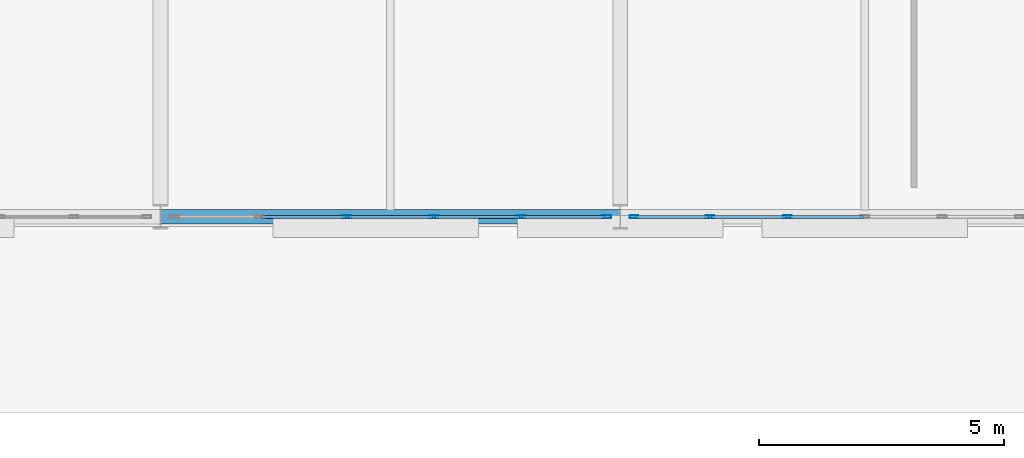
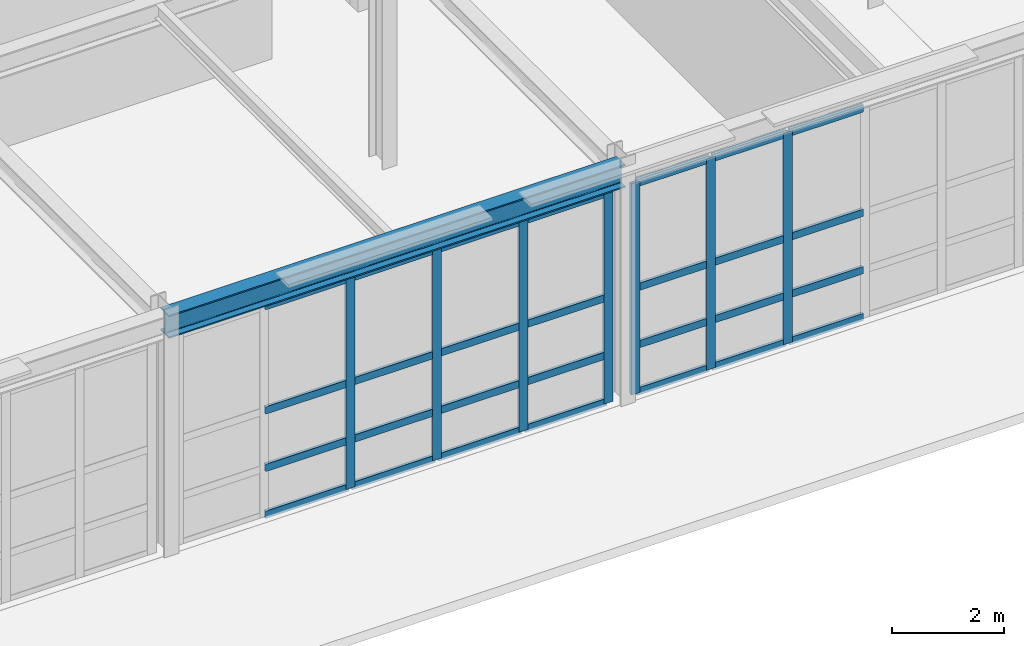
# One storey, part 92 of 210: 35 members, 1 beam, 2 elements without a shape of their own.
"""IFC4 building model written with IfcOpenShell, lengths in metres."""

from ifc_helpers import new_model, si_unit, direction, frame, origin, origin_2d, place, context, subcontext, project, spatial, hollow_rectangle, i_section, extrude, material, material_profile, profile_set, type_object, element, aggregate, save


model = new_model("IFC4")

# Units and contexts
model_context = context("Model", 3, precision=1e-05, world=origin(), true_north=direction((0.0, 1.0)))
body_context = subcontext(model_context, "Body", "Model", "MODEL_VIEW")
ifc_project = project(units=[si_unit("LENGTHUNIT", "METRE"), si_unit("AREAUNIT", "SQUARE_METRE"), si_unit("VOLUMEUNIT", "CUBIC_METRE"), si_unit("PLANEANGLEUNIT", "RADIAN"), si_unit("MASSUNIT", "GRAM", prefix="KILO")], contexts=[model_context])

# Site, building, storey
site_placement = place(None, origin())
site = spatial("IfcSite", under=ifc_project, at=site_placement, CompositionType="ELEMENT")
building_placement = place(site_placement, origin())
building = spatial("IfcBuilding", under=site, at=building_placement, Name="Kaldris Quays Convention Centre", CompositionType="ELEMENT")
storey_placement = place(building_placement, frame((0.0, 0.0, 6.0)))
storey = spatial("IfcBuildingStorey", under=building, at=storey_placement, Name="L01", CompositionType="ELEMENT", Elevation=6.0)

# Curtain wall, members
ifc_material_1 = material(Name="Anodized aluminium AW-6060 and triple glazing", Category="aluminium")
curtain_wall_type = type_object("IfcCurtainWallType", Name="UNITISED CURTAIN WALL CW02", PredefinedType="NOTDEFINED", material=ifc_material_1)
curtain_wall_1_placement = place(storey_placement, origin())
curtain_wall_1 = element("IfcCurtainWall", 1, at=curtain_wall_1_placement, inside=storey, type_object=curtain_wall_type, Name="L01 Unitised Curtain Wall CW02 187", PredefinedType="NOTDEFINED")
ifc_material_2 = material(Name="Anodized aluminium AW-6060", Category="aluminium")
ifc_material_profile_1 = material_profile(ifc_material_2, hollow_rectangle(XDim=0.06005859375, YDim=0.179931640625, WallThickness=0.0048828125, at=origin_2d()), Name="RHS 180x60x5")
ifc_profile_set_1 = profile_set([ifc_material_profile_1], Name="Anodized aluminium AW-6060")
member_type_1 = type_object("IfcMemberType", Name="CURTAIN MULLION CWM2", PredefinedType="MULLION", material=ifc_profile_set_1)
member_1_placement = place(storey_placement, frame((168.409912109375, 20.0, 0.0), z_axis=(0.0, 0.0, 1.0), x_axis=(0.0, 1.0, 0.0)))
member_1 = element("IfcMember", 2, at=member_1_placement, type_object=member_type_1, Name="CW02 mullion 3", PredefinedType="MULLION", context=body_context, shape_type="SweptSolid", body=[
    extrude(hollow_rectangle(XDim=0.06005859375, YDim=0.179931640625, WallThickness=0.0048828125, at=origin_2d()), origin(), (0.0, 0.0, 1.0), 4.60009765625),
])
member_2_placement = place(storey_placement, frame((170.18994140625, 20.0, 0.0), z_axis=(0.0, 0.0, 1.0), x_axis=(0.0, 1.0, 0.0)))
member_2 = element("IfcMember", 3, at=member_2_placement, type_object=member_type_1, Name="CW02 mullion 4", PredefinedType="MULLION", context=body_context, shape_type="SweptSolid", body=[
    extrude(hollow_rectangle(XDim=0.06005859375, YDim=0.179931640625, WallThickness=0.0048828125, at=origin_2d()), origin(), (0.0, 0.0, 1.0), 4.60009765625),
])
member_3_placement = place(storey_placement, frame((171.969970703125, 20.0, 0.0), z_axis=(0.0, 0.0, 1.0), x_axis=(0.0, 1.0, 0.0)))
member_3 = element("IfcMember", 4, at=member_3_placement, type_object=member_type_1, Name="CW02 mullion 5", PredefinedType="MULLION", context=body_context, shape_type="SweptSolid", body=[
    extrude(hollow_rectangle(XDim=0.06005859375, YDim=0.179931640625, WallThickness=0.0048828125, at=origin_2d()), origin(), (0.0, 0.0, 1.0), 4.60009765625),
])
member_4_placement = place(storey_placement, frame((173.719970703125, 20.0, 0.0), z_axis=(0.0, 0.0, 1.0), x_axis=(0.0, 1.0, 0.0)))
member_4 = element("IfcMember", 5, at=member_4_placement, type_object=member_type_1, Name="CW02 mullion 6", PredefinedType="MULLION", context=body_context, shape_type="SweptSolid", body=[
    extrude(hollow_rectangle(XDim=0.06005859375, YDim=0.179931640625, WallThickness=0.0048828125, at=origin_2d()), origin(), (0.0, 0.0, 1.0), 4.60009765625),
])

curtain_wall_2_placement = place(storey_placement, origin())
curtain_wall_2 = element("IfcCurtainWall", 6, at=curtain_wall_2_placement, inside=storey, type_object=curtain_wall_type, Name="L01 Unitised Curtain Wall CW02 189", PredefinedType="NOTDEFINED")
member_5_placement = place(storey_placement, frame((174.280029296875, 20.0, 0.0), z_axis=(0.0, 0.0, 1.0), x_axis=(0.0, 1.0, 0.0)))
member_5 = element("IfcMember", 7, at=member_5_placement, type_object=member_type_1, Name="CW02 mullion 1", PredefinedType="MULLION", context=body_context, shape_type="SweptSolid", body=[
    extrude(hollow_rectangle(XDim=0.06005859375, YDim=0.179931640625, WallThickness=0.0048828125, at=origin_2d()), origin(), (0.0, 0.0, 1.0), 4.60009765625),
])
member_6_placement = place(storey_placement, frame((175.833251953125, 20.0, 0.0), z_axis=(0.0, 0.0, 1.0), x_axis=(0.0, 1.0, 0.0)))
member_6 = element("IfcMember", 8, at=member_6_placement, type_object=member_type_1, Name="CW02 mullion 2", PredefinedType="MULLION", context=body_context, shape_type="SweptSolid", body=[
    extrude(hollow_rectangle(XDim=0.06005859375, YDim=0.179931640625, WallThickness=0.0048828125, at=origin_2d()), origin(), (0.0, 0.0, 1.0), 4.60009765625),
])
member_7_placement = place(storey_placement, frame((177.416748046875, 20.0, 0.0), z_axis=(0.0, 0.0, 1.0), x_axis=(0.0, 1.0, 0.0)))
member_7 = element("IfcMember", 9, at=member_7_placement, type_object=member_type_1, Name="CW02 mullion 3", PredefinedType="MULLION", context=body_context, shape_type="SweptSolid", body=[
    extrude(hollow_rectangle(XDim=0.06005859375, YDim=0.179931640625, WallThickness=0.0048828125, at=origin_2d()), origin(), (0.0, 0.0, 1.0), 4.60009765625),
])

# Member
ifc_material_profile_2 = material_profile(ifc_material_2, hollow_rectangle(XDim=0.06005859375, YDim=0.159912109375, WallThickness=0.00390625, at=origin_2d()), Name="RHS 160x60x4")
ifc_profile_set_2 = profile_set([ifc_material_profile_2], Name="Anodized aluminium AW-6060")
member_type_2 = type_object("IfcMemberType", Name="CURTAIN TRANSOM CWT2", PredefinedType="USERDEFINED", material=ifc_profile_set_2)
member_8_placement = place(storey_placement, frame((166.659912109375, 20.0, 0.030029296875), z_axis=(1.0, 0.0, 0.0), x_axis=(0.0, 1.0, 0.0)))
member_8 = element("IfcMember", 10, at=member_8_placement, type_object=member_type_2, Name="CW02 transom 2.1", ObjectType="TRANSOM", PredefinedType="USERDEFINED", context=body_context, shape_type="SweptSolid", body=[
    extrude(hollow_rectangle(XDim=0.06005859375, YDim=0.159912109375, WallThickness=0.00390625, at=origin_2d()), origin(), (0.0, 0.0, 1.0), 1.719970703125),
])

member_9_placement = place(storey_placement, frame((166.659912109375, 20.0, 1.050048828125), z_axis=(1.0, 0.0, 0.0), x_axis=(0.0, 1.0, 0.0)))
member_9 = element("IfcMember", 11, at=member_9_placement, type_object=member_type_2, Name="CW02 transom 2.2", ObjectType="TRANSOM", PredefinedType="USERDEFINED", context=body_context, shape_type="SweptSolid", body=[
    extrude(hollow_rectangle(XDim=0.06005859375, YDim=0.159912109375, WallThickness=0.00390625, at=origin_2d()), origin(), (0.0, 0.0, 1.0), 1.719970703125),
])

member_10_placement = place(storey_placement, frame((166.659912109375, 20.0, 2.300048828125), z_axis=(1.0, 0.0, 0.0), x_axis=(0.0, 1.0, 0.0)))
member_10 = element("IfcMember", 12, at=member_10_placement, type_object=member_type_2, Name="CW02 transom 2.3", ObjectType="TRANSOM", PredefinedType="USERDEFINED", context=body_context, shape_type="SweptSolid", body=[
    extrude(hollow_rectangle(XDim=0.06005859375, YDim=0.159912109375, WallThickness=0.00390625, at=origin_2d()), origin(), (0.0, 0.0, 1.0), 1.719970703125),
])

member_11_placement = place(storey_placement, frame((166.659912109375, 20.0, 4.570068359375), z_axis=(1.0, 0.0, 0.0), x_axis=(0.0, 1.0, 0.0)))
member_11 = element("IfcMember", 13, at=member_11_placement, type_object=member_type_2, Name="CW02 transom 2.4", ObjectType="TRANSOM", PredefinedType="USERDEFINED", context=body_context, shape_type="SweptSolid", body=[
    extrude(hollow_rectangle(XDim=0.06005859375, YDim=0.159912109375, WallThickness=0.00390625, at=origin_2d()), origin(), (0.0, 0.0, 1.0), 1.719970703125),
])

member_12_placement = place(storey_placement, frame((168.43994140625, 20.0, 0.030029296875), z_axis=(1.0, 0.0, 0.0), x_axis=(0.0, 1.0, 0.0)))
member_12 = element("IfcMember", 14, at=member_12_placement, type_object=member_type_2, Name="CW02 transom 3.1", ObjectType="TRANSOM", PredefinedType="USERDEFINED", context=body_context, shape_type="SweptSolid", body=[
    extrude(hollow_rectangle(XDim=0.06005859375, YDim=0.159912109375, WallThickness=0.00390625, at=origin_2d()), origin(), (0.0, 0.0, 1.0), 1.719970703125),
])

member_13_placement = place(storey_placement, frame((168.43994140625, 20.0, 1.050048828125), z_axis=(1.0, 0.0, 0.0), x_axis=(0.0, 1.0, 0.0)))
member_13 = element("IfcMember", 15, at=member_13_placement, type_object=member_type_2, Name="CW02 transom 3.2", ObjectType="TRANSOM", PredefinedType="USERDEFINED", context=body_context, shape_type="SweptSolid", body=[
    extrude(hollow_rectangle(XDim=0.06005859375, YDim=0.159912109375, WallThickness=0.00390625, at=origin_2d()), origin(), (0.0, 0.0, 1.0), 1.719970703125),
])

member_14_placement = place(storey_placement, frame((168.43994140625, 20.0, 2.300048828125), z_axis=(1.0, 0.0, 0.0), x_axis=(0.0, 1.0, 0.0)))
member_14 = element("IfcMember", 16, at=member_14_placement, type_object=member_type_2, Name="CW02 transom 3.3", ObjectType="TRANSOM", PredefinedType="USERDEFINED", context=body_context, shape_type="SweptSolid", body=[
    extrude(hollow_rectangle(XDim=0.06005859375, YDim=0.159912109375, WallThickness=0.00390625, at=origin_2d()), origin(), (0.0, 0.0, 1.0), 1.719970703125),
])

member_15_placement = place(storey_placement, frame((168.43994140625, 20.0, 4.570068359375), z_axis=(1.0, 0.0, 0.0), x_axis=(0.0, 1.0, 0.0)))
member_15 = element("IfcMember", 17, at=member_15_placement, type_object=member_type_2, Name="CW02 transom 3.4", ObjectType="TRANSOM", PredefinedType="USERDEFINED", context=body_context, shape_type="SweptSolid", body=[
    extrude(hollow_rectangle(XDim=0.06005859375, YDim=0.159912109375, WallThickness=0.00390625, at=origin_2d()), origin(), (0.0, 0.0, 1.0), 1.719970703125),
])

member_16_placement = place(storey_placement, frame((170.219970703125, 20.0, 0.030029296875), z_axis=(1.0, 0.0, 0.0), x_axis=(0.0, 1.0, 0.0)))
member_16 = element("IfcMember", 18, at=member_16_placement, type_object=member_type_2, Name="CW02 transom 4.1", ObjectType="TRANSOM", PredefinedType="USERDEFINED", context=body_context, shape_type="SweptSolid", body=[
    extrude(hollow_rectangle(XDim=0.06005859375, YDim=0.159912109375, WallThickness=0.00390625, at=origin_2d()), origin(), (0.0, 0.0, 1.0), 1.719970703125),
])

member_17_placement = place(storey_placement, frame((170.219970703125, 20.0, 1.050048828125), z_axis=(1.0, 0.0, 0.0), x_axis=(0.0, 1.0, 0.0)))
member_17 = element("IfcMember", 19, at=member_17_placement, type_object=member_type_2, Name="CW02 transom 4.2", ObjectType="TRANSOM", PredefinedType="USERDEFINED", context=body_context, shape_type="SweptSolid", body=[
    extrude(hollow_rectangle(XDim=0.06005859375, YDim=0.159912109375, WallThickness=0.00390625, at=origin_2d()), origin(), (0.0, 0.0, 1.0), 1.719970703125),
])

member_18_placement = place(storey_placement, frame((170.219970703125, 20.0, 2.300048828125), z_axis=(1.0, 0.0, 0.0), x_axis=(0.0, 1.0, 0.0)))
member_18 = element("IfcMember", 20, at=member_18_placement, type_object=member_type_2, Name="CW02 transom 4.3", ObjectType="TRANSOM", PredefinedType="USERDEFINED", context=body_context, shape_type="SweptSolid", body=[
    extrude(hollow_rectangle(XDim=0.06005859375, YDim=0.159912109375, WallThickness=0.00390625, at=origin_2d()), origin(), (0.0, 0.0, 1.0), 1.719970703125),
])

member_19_placement = place(storey_placement, frame((170.219970703125, 20.0, 4.570068359375), z_axis=(1.0, 0.0, 0.0), x_axis=(0.0, 1.0, 0.0)))
member_19 = element("IfcMember", 21, at=member_19_placement, type_object=member_type_2, Name="CW02 transom 4.4", ObjectType="TRANSOM", PredefinedType="USERDEFINED", context=body_context, shape_type="SweptSolid", body=[
    extrude(hollow_rectangle(XDim=0.06005859375, YDim=0.159912109375, WallThickness=0.00390625, at=origin_2d()), origin(), (0.0, 0.0, 1.0), 1.719970703125),
])

member_20_placement = place(storey_placement, frame((172.0, 20.0, 0.030029296875), z_axis=(1.0, 0.0, 0.0), x_axis=(0.0, 1.0, 0.0)))
member_20 = element("IfcMember", 22, at=member_20_placement, type_object=member_type_2, Name="CW02 transom 5.1", ObjectType="TRANSOM", PredefinedType="USERDEFINED", context=body_context, shape_type="SweptSolid", body=[
    extrude(hollow_rectangle(XDim=0.06005859375, YDim=0.159912109375, WallThickness=0.00390625, at=origin_2d()), origin(), (0.0, 0.0, 1.0), 1.68994140625),
])

member_21_placement = place(storey_placement, frame((172.0, 20.0, 1.050048828125), z_axis=(1.0, 0.0, 0.0), x_axis=(0.0, 1.0, 0.0)))
member_21 = element("IfcMember", 23, at=member_21_placement, type_object=member_type_2, Name="CW02 transom 5.2", ObjectType="TRANSOM", PredefinedType="USERDEFINED", context=body_context, shape_type="SweptSolid", body=[
    extrude(hollow_rectangle(XDim=0.06005859375, YDim=0.159912109375, WallThickness=0.00390625, at=origin_2d()), origin(), (0.0, 0.0, 1.0), 1.68994140625),
])

member_22_placement = place(storey_placement, frame((172.0, 20.0, 2.300048828125), z_axis=(1.0, 0.0, 0.0), x_axis=(0.0, 1.0, 0.0)))
member_22 = element("IfcMember", 24, at=member_22_placement, type_object=member_type_2, Name="CW02 transom 5.3", ObjectType="TRANSOM", PredefinedType="USERDEFINED", context=body_context, shape_type="SweptSolid", body=[
    extrude(hollow_rectangle(XDim=0.06005859375, YDim=0.159912109375, WallThickness=0.00390625, at=origin_2d()), origin(), (0.0, 0.0, 1.0), 1.68994140625),
])

member_23_placement = place(storey_placement, frame((172.0, 20.0, 4.570068359375), z_axis=(1.0, 0.0, 0.0), x_axis=(0.0, 1.0, 0.0)))
member_23 = element("IfcMember", 25, at=member_23_placement, type_object=member_type_2, Name="CW02 transom 5.4", ObjectType="TRANSOM", PredefinedType="USERDEFINED", context=body_context, shape_type="SweptSolid", body=[
    extrude(hollow_rectangle(XDim=0.06005859375, YDim=0.159912109375, WallThickness=0.00390625, at=origin_2d()), origin(), (0.0, 0.0, 1.0), 1.68994140625),
])

aggregate(curtain_wall_1, [member_1, member_2, member_3, member_4, member_8, member_9, member_10, member_11, member_12, member_13, member_14, member_15, member_16, member_17, member_18, member_19, member_20, member_21, member_22, member_23])

member_24_placement = place(storey_placement, frame((174.31005859375, 20.0, 0.030029296875), z_axis=(1.0, 0.0, 0.0), x_axis=(0.0, 1.0, 0.0)))
member_24 = element("IfcMember", 26, at=member_24_placement, type_object=member_type_2, Name="CW02 transom 1.1", ObjectType="TRANSOM", PredefinedType="USERDEFINED", context=body_context, shape_type="SweptSolid", body=[
    extrude(hollow_rectangle(XDim=0.06005859375, YDim=0.159912109375, WallThickness=0.00390625, at=origin_2d()), origin(), (0.0, 0.0, 1.0), 1.4931640625),
])

member_25_placement = place(storey_placement, frame((174.31005859375, 20.0, 1.050048828125), z_axis=(1.0, 0.0, 0.0), x_axis=(0.0, 1.0, 0.0)))
member_25 = element("IfcMember", 27, at=member_25_placement, type_object=member_type_2, Name="CW02 transom 1.2", ObjectType="TRANSOM", PredefinedType="USERDEFINED", context=body_context, shape_type="SweptSolid", body=[
    extrude(hollow_rectangle(XDim=0.06005859375, YDim=0.159912109375, WallThickness=0.00390625, at=origin_2d()), origin(), (0.0, 0.0, 1.0), 1.4931640625),
])

member_26_placement = place(storey_placement, frame((174.31005859375, 20.0, 2.300048828125), z_axis=(1.0, 0.0, 0.0), x_axis=(0.0, 1.0, 0.0)))
member_26 = element("IfcMember", 28, at=member_26_placement, type_object=member_type_2, Name="CW02 transom 1.3", ObjectType="TRANSOM", PredefinedType="USERDEFINED", context=body_context, shape_type="SweptSolid", body=[
    extrude(hollow_rectangle(XDim=0.06005859375, YDim=0.159912109375, WallThickness=0.00390625, at=origin_2d()), origin(), (0.0, 0.0, 1.0), 1.4931640625),
])

member_27_placement = place(storey_placement, frame((174.31005859375, 20.0, 4.570068359375), z_axis=(1.0, 0.0, 0.0), x_axis=(0.0, 1.0, 0.0)))
member_27 = element("IfcMember", 29, at=member_27_placement, type_object=member_type_2, Name="CW02 transom 1.4", ObjectType="TRANSOM", PredefinedType="USERDEFINED", context=body_context, shape_type="SweptSolid", body=[
    extrude(hollow_rectangle(XDim=0.06005859375, YDim=0.159912109375, WallThickness=0.00390625, at=origin_2d()), origin(), (0.0, 0.0, 1.0), 1.4931640625),
])

member_28_placement = place(storey_placement, frame((175.86328125, 20.0, 0.030029296875), z_axis=(1.0, 0.0, 0.0), x_axis=(0.0, 1.0, 0.0)))
member_28 = element("IfcMember", 30, at=member_28_placement, type_object=member_type_2, Name="CW02 transom 2.1", ObjectType="TRANSOM", PredefinedType="USERDEFINED", context=body_context, shape_type="SweptSolid", body=[
    extrude(hollow_rectangle(XDim=0.06005859375, YDim=0.159912109375, WallThickness=0.00390625, at=origin_2d()), origin(), (0.0, 0.0, 1.0), 1.5234375),
])

member_29_placement = place(storey_placement, frame((175.86328125, 20.0, 1.050048828125), z_axis=(1.0, 0.0, 0.0), x_axis=(0.0, 1.0, 0.0)))
member_29 = element("IfcMember", 31, at=member_29_placement, type_object=member_type_2, Name="CW02 transom 2.2", ObjectType="TRANSOM", PredefinedType="USERDEFINED", context=body_context, shape_type="SweptSolid", body=[
    extrude(hollow_rectangle(XDim=0.06005859375, YDim=0.159912109375, WallThickness=0.00390625, at=origin_2d()), origin(), (0.0, 0.0, 1.0), 1.5234375),
])

member_30_placement = place(storey_placement, frame((175.86328125, 20.0, 2.300048828125), z_axis=(1.0, 0.0, 0.0), x_axis=(0.0, 1.0, 0.0)))
member_30 = element("IfcMember", 32, at=member_30_placement, type_object=member_type_2, Name="CW02 transom 2.3", ObjectType="TRANSOM", PredefinedType="USERDEFINED", context=body_context, shape_type="SweptSolid", body=[
    extrude(hollow_rectangle(XDim=0.06005859375, YDim=0.159912109375, WallThickness=0.00390625, at=origin_2d()), origin(), (0.0, 0.0, 1.0), 1.5234375),
])

member_31_placement = place(storey_placement, frame((175.86328125, 20.0, 4.570068359375), z_axis=(1.0, 0.0, 0.0), x_axis=(0.0, 1.0, 0.0)))
member_31 = element("IfcMember", 33, at=member_31_placement, type_object=member_type_2, Name="CW02 transom 2.4", ObjectType="TRANSOM", PredefinedType="USERDEFINED", context=body_context, shape_type="SweptSolid", body=[
    extrude(hollow_rectangle(XDim=0.06005859375, YDim=0.159912109375, WallThickness=0.00390625, at=origin_2d()), origin(), (0.0, 0.0, 1.0), 1.5234375),
])

member_32_placement = place(storey_placement, frame((177.44677734375, 20.0, 0.030029296875), z_axis=(1.0, 0.0, 0.0), x_axis=(0.0, 1.0, 0.0)))
member_32 = element("IfcMember", 34, at=member_32_placement, type_object=member_type_2, Name="CW02 transom 3.1", ObjectType="TRANSOM", PredefinedType="USERDEFINED", context=body_context, shape_type="SweptSolid", body=[
    extrude(hollow_rectangle(XDim=0.06005859375, YDim=0.159912109375, WallThickness=0.00390625, at=origin_2d()), origin(), (0.0, 0.0, 1.0), 1.523193359375),
])

member_33_placement = place(storey_placement, frame((177.44677734375, 20.0, 1.050048828125), z_axis=(1.0, 0.0, 0.0), x_axis=(0.0, 1.0, 0.0)))
member_33 = element("IfcMember", 35, at=member_33_placement, type_object=member_type_2, Name="CW02 transom 3.2", ObjectType="TRANSOM", PredefinedType="USERDEFINED", context=body_context, shape_type="SweptSolid", body=[
    extrude(hollow_rectangle(XDim=0.06005859375, YDim=0.159912109375, WallThickness=0.00390625, at=origin_2d()), origin(), (0.0, 0.0, 1.0), 1.523193359375),
])

member_34_placement = place(storey_placement, frame((177.44677734375, 20.0, 2.300048828125), z_axis=(1.0, 0.0, 0.0), x_axis=(0.0, 1.0, 0.0)))
member_34 = element("IfcMember", 36, at=member_34_placement, type_object=member_type_2, Name="CW02 transom 3.3", ObjectType="TRANSOM", PredefinedType="USERDEFINED", context=body_context, shape_type="SweptSolid", body=[
    extrude(hollow_rectangle(XDim=0.06005859375, YDim=0.159912109375, WallThickness=0.00390625, at=origin_2d()), origin(), (0.0, 0.0, 1.0), 1.523193359375),
])

member_35_placement = place(storey_placement, frame((177.44677734375, 20.0, 4.570068359375), z_axis=(1.0, 0.0, 0.0), x_axis=(0.0, 1.0, 0.0)))
member_35 = element("IfcMember", 37, at=member_35_placement, type_object=member_type_2, Name="CW02 transom 3.4", ObjectType="TRANSOM", PredefinedType="USERDEFINED", context=body_context, shape_type="SweptSolid", body=[
    extrude(hollow_rectangle(XDim=0.06005859375, YDim=0.159912109375, WallThickness=0.00390625, at=origin_2d()), origin(), (0.0, 0.0, 1.0), 1.523193359375),
])

aggregate(curtain_wall_2, [member_5, member_6, member_7, member_24, member_25, member_26, member_27, member_28, member_29, member_30, member_31, member_32, member_33, member_34, member_35])

# Beam
ifc_material_3 = material(Name="Steel S355J2", Category="steel")
ifc_material_profile_3 = material_profile(ifc_material_3, i_section(OverallWidth=0.300048828125, OverallDepth=0.5, WebThickness=0.014404296875, FlangeThickness=0.028076171875, FilletRadius=0.027099609375, at=origin_2d()), Name="HEB 500")
ifc_profile_set_3 = profile_set([ifc_material_profile_3], Name="Steel S355J2")
beam_type = type_object("IfcBeamType", Name="STRUCTURAL BEAM BM06", PredefinedType="BEAM", material=ifc_profile_set_3)
beam_placement = place(storey_placement, frame((164.601318359375, 20.0, 4.9130859375), z_axis=(1.0, 0.0, 0.0), x_axis=(0.0, 1.0, 0.0)))
element("IfcBeam", 38, at=beam_placement, inside=storey, type_object=beam_type, Name="L01 Girder BM06 2", PredefinedType="BEAM", context=body_context, shape_type="SweptSolid", body=[
    extrude(i_section(OverallWidth=0.300048828125, OverallDepth=0.5, WebThickness=0.014404296875, FlangeThickness=0.028076171875, FilletRadius=0.027099609375, at=origin_2d()), origin(), (0.0, 0.0, 1.0), 9.3974609375),
])

save(model, "model.ifc")
